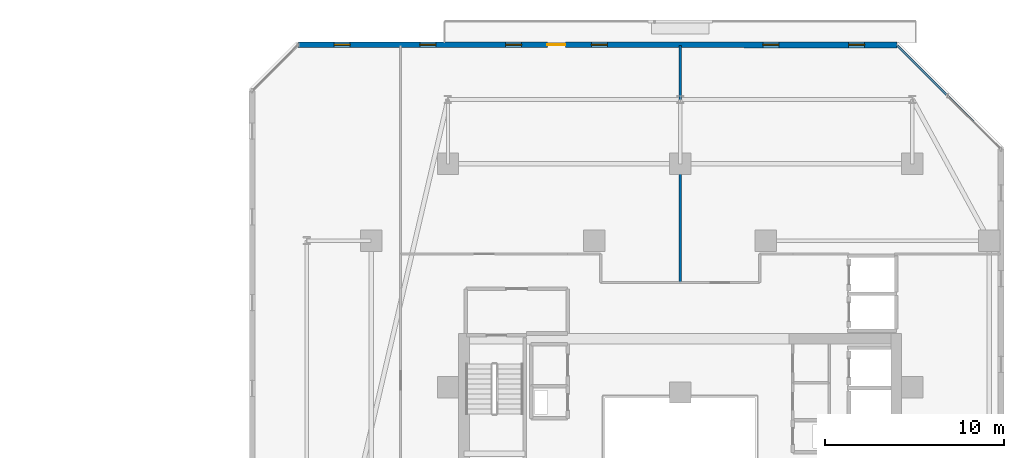
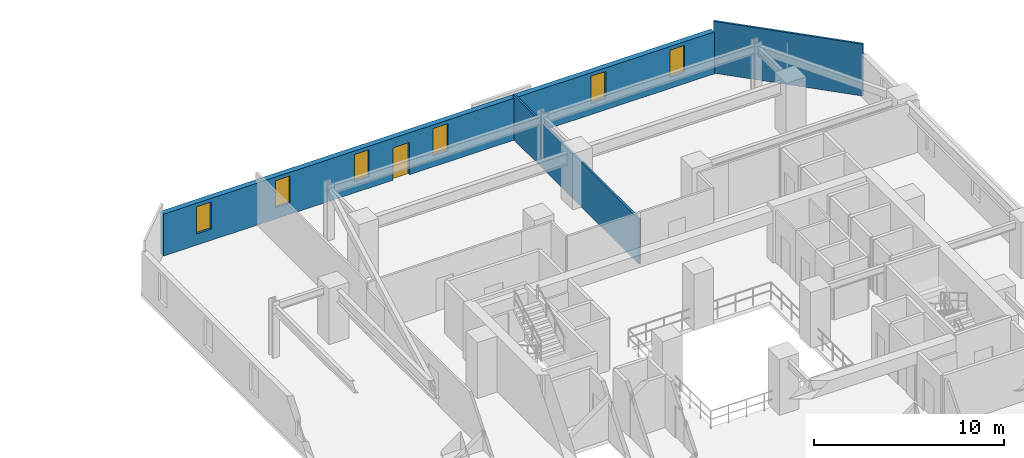
# One storey, part 23 of 30: 6 windows, 3 walls, 1 door, 7 openings.
"""IFC4 building model written with IfcOpenShell, lengths in metres."""

from ifc_helpers import new_model, si_unit, direction, frame, frame_2d, origin, place, context, subcontext, project, spatial, rectangle, extrude, material, layer, layer_set, type_object, element, fill, save


model = new_model("IFC4")

# Units and contexts
model_context = context("Model", 3, precision=1e-05, world=origin(), true_north=direction((0.0, 1.0)))
body_context = subcontext(model_context, "Body", "Model", "MODEL_VIEW")
ifc_project = project(units=[si_unit("LENGTHUNIT", "METRE"), si_unit("AREAUNIT", "SQUARE_METRE"), si_unit("VOLUMEUNIT", "CUBIC_METRE"), si_unit("PLANEANGLEUNIT", "RADIAN"), si_unit("MASSUNIT", "GRAM", prefix="KILO")], contexts=[model_context])

# Site, building, storey
site_placement = place(None, origin())
site = spatial("IfcSite", under=ifc_project, at=site_placement, CompositionType="ELEMENT")
building_placement = place(site_placement, origin())
building = spatial("IfcBuilding", under=site, at=building_placement, Name="Thornwick Lancets Civic Towers", CompositionType="ELEMENT")
storey_placement = place(building_placement, frame((0.0, 0.0, 80.10009765625)))
storey = spatial("IfcBuildingStorey", under=building, at=storey_placement, Name="L20", CompositionType="ELEMENT", Elevation=80.10009765625)

# Wall, openings, door, windows
ifc_material_1 = material(Name="Insulated buff terracotta rainscreen on concrete C40/50", Category="masonry")
ifc_layer_1 = layer(ifc_material_1, 0.320068359375, Name="Insulated buff terracotta rainscreen on concrete C40/50")
ifc_layer_set_1 = layer_set([ifc_layer_1], Name="Insulated buff terracotta rainscreen on concrete C40/50")
wall_type_1 = type_object("IfcWallType", Name="WALL_EXT_TERRA_320", PredefinedType="STANDARD", material=ifc_layer_set_1)
wall_1_placement = place(storey_placement, frame((100.62158203125, 50.9541015625, 0.0), z_axis=(0.0, 0.0, 1.0), x_axis=(-0.999999950907, 0.000313347115, 0.0)))
wall_1 = element("IfcWall", 1, at=wall_1_placement, inside=storey, type_object=wall_type_1, Name="L20 Tower B Terracotta Facade Wall E4", PredefinedType="STANDARD", context=body_context, shape_type="SweptSolid", body=[
    extrude(rectangle(XDim=33.5029296875, YDim=0.320068359375, at=frame_2d((16.75146484375, 0.0))), origin(), (0.0, 0.0, 1.0), 2.699951171875),
])
opening_1_placement = place(wall_1_placement, frame((18.551513671875, 0.0, 0.0)))
opening_1 = element("IfcOpeningElement", 2, at=opening_1_placement, cuts=wall_1, Name="Opening D-BL-L20-BN", PredefinedType="OPENING", context=body_context, shape_type="SweptSolid", body=[
    extrude(rectangle(XDim=1.0, YDim=2.080078125, at=frame_2d((0.5, 1.0400390625))), frame((0.0, 0.169921875, 0.0), z_axis=(0.0, -1.0, 0.0), x_axis=(1.0, 0.0, 0.0)), (0.0, 0.0, 1.0), 0.340087890625),
])
opening_2_placement = place(wall_1_placement, frame((1.800048828125, 0.0, 0.719970703125)))
opening_2 = element("IfcOpeningElement", 3, at=opening_2_placement, cuts=wall_1, Name="Opening WL-01", PredefinedType="OPENING", context=body_context, shape_type="SweptSolid", body=[
    extrude(rectangle(XDim=0.89990234375, YDim=1.75, at=frame_2d((0.449951171875, 0.875))), frame((0.0, 0.169921875, 0.0), z_axis=(0.0, -1.0, 0.0), x_axis=(1.0, 0.0, 0.0)), (0.0, 0.0, 1.0), 0.340087890625),
])
opening_3_placement = place(wall_1_placement, frame((6.60009765625, 0.0, 0.719970703125)))
opening_3 = element("IfcOpeningElement", 4, at=opening_3_placement, cuts=wall_1, Name="Opening WL-01", PredefinedType="OPENING", context=body_context, shape_type="SweptSolid", body=[
    extrude(rectangle(XDim=0.89990234375, YDim=1.75, at=frame_2d((0.449951171875, 0.875))), frame((0.0, 0.169921875, 0.0), z_axis=(0.0, -1.0, 0.0), x_axis=(1.0, 0.0, 0.0)), (0.0, 0.0, 1.0), 0.340087890625),
])
opening_4_placement = place(wall_1_placement, frame((16.199951171875, 0.0, 0.719970703125)))
opening_4 = element("IfcOpeningElement", 5, at=opening_4_placement, cuts=wall_1, Name="Opening WL-01", PredefinedType="OPENING", context=body_context, shape_type="SweptSolid", body=[
    extrude(rectangle(XDim=0.89990234375, YDim=1.75, at=frame_2d((0.449951171875, 0.875))), frame((0.0, 0.169921875, 0.0), z_axis=(0.0, -1.0, 0.0), x_axis=(1.0, 0.0, 0.0)), (0.0, 0.0, 1.0), 0.340087890625),
])
opening_5_placement = place(wall_1_placement, frame((21.0, 0.0, 0.719970703125)))
opening_5 = element("IfcOpeningElement", 6, at=opening_5_placement, cuts=wall_1, Name="Opening WL-01", PredefinedType="OPENING", context=body_context, shape_type="SweptSolid", body=[
    extrude(rectangle(XDim=0.89990234375, YDim=1.75, at=frame_2d((0.449951171875, 0.875))), frame((0.0, 0.169921875, 0.0), z_axis=(0.0, -1.0, 0.0), x_axis=(1.0, 0.0, 0.0)), (0.0, 0.0, 1.0), 0.340087890625),
])
opening_6_placement = place(wall_1_placement, frame((25.800048828125, 0.0, 0.719970703125)))
opening_6 = element("IfcOpeningElement", 7, at=opening_6_placement, cuts=wall_1, Name="Opening WL-01", PredefinedType="OPENING", context=body_context, shape_type="SweptSolid", body=[
    extrude(rectangle(XDim=0.89990234375, YDim=1.75, at=frame_2d((0.449951171875, 0.875))), frame((0.0, 0.169921875, 0.0), z_axis=(0.0, -1.0, 0.0), x_axis=(1.0, 0.0, 0.0)), (0.0, 0.0, 1.0), 0.340087890625),
])
opening_7_placement = place(wall_1_placement, frame((30.60009765625, 0.0, 0.719970703125)))
opening_7 = element("IfcOpeningElement", 8, at=opening_7_placement, cuts=wall_1, Name="Opening WL-01", PredefinedType="OPENING", context=body_context, shape_type="SweptSolid", body=[
    extrude(rectangle(XDim=0.89990234375, YDim=1.75, at=frame_2d((0.449951171875, 0.875))), frame((0.0, 0.169921875, 0.0), z_axis=(0.0, -1.0, 0.0), x_axis=(1.0, 0.0, 0.0)), (0.0, 0.0, 1.0), 0.340087890625),
])
ifc_material_2 = material(Name="Thermally broken glazed loggia doorset")
door_type = type_object("IfcDoorType", Name="DOOR_BALC_1000", OperationType="NOTDEFINED", PredefinedType="DOOR", material=ifc_material_2)
door_placement = place(opening_1_placement, origin())
door = element("IfcDoor", 9, at=door_placement, inside=storey, type_object=door_type, Name="L20 Tower B Loggia Balcony Door N", OperationType="SINGLE_SWING_LEFT", OverallHeight=2.080078125, OverallWidth=1.0, PredefinedType="DOOR", context=body_context, shape_type="SweptSolid", body=[
    extrude(rectangle(XDim=1.0, YDim=2.080078125, at=frame_2d((0.5, 1.0400390625))), frame((0.0, 0.02490234375, 0.0), z_axis=(0.0, -1.0, 0.0), x_axis=(1.0, 0.0, 0.0)), (0.0, 0.0, 1.0), 0.050048828125),
])
fill(opening_1, door)
ifc_material_3 = material(Name="Clear low-e double glazing in bronze frame", Category="glass")
window_type = type_object("IfcWindowType", Name="WIN_LANCET_900", PartitioningType="SINGLE_PANEL", PredefinedType="WINDOW", material=ifc_material_3)
window_1_placement = place(opening_2_placement, origin())
window_1 = element("IfcWindow", 10, at=window_1_placement, inside=storey, type_object=window_type, Name="L20 Tower B Staggered Lancet Window E4-1", OverallHeight=1.75, OverallWidth=0.89990234375, PartitioningType="SINGLE_PANEL", PredefinedType="WINDOW", context=body_context, shape_type="SweptSolid", body=[
    extrude(rectangle(XDim=0.89990234375, YDim=1.75, at=frame_2d((0.449951171875, 0.875))), frame((0.0, 0.030029296875, 0.0), z_axis=(0.0, -1.0, 0.0), x_axis=(1.0, 0.0, 0.0)), (0.0, 0.0, 1.0), 0.06005859375),
])
fill(opening_2, window_1)
window_2_placement = place(opening_3_placement, origin())
window_2 = element("IfcWindow", 11, at=window_2_placement, inside=storey, type_object=window_type, Name="L20 Tower B Staggered Lancet Window E4-2", OverallHeight=1.75, OverallWidth=0.89990234375, PartitioningType="SINGLE_PANEL", PredefinedType="WINDOW", context=body_context, shape_type="SweptSolid", body=[
    extrude(rectangle(XDim=0.89990234375, YDim=1.75, at=frame_2d((0.449951171875, 0.875))), frame((0.0, 0.030029296875, 0.0), z_axis=(0.0, -1.0, 0.0), x_axis=(1.0, 0.0, 0.0)), (0.0, 0.0, 1.0), 0.06005859375),
])
fill(opening_3, window_2)
window_3_placement = place(opening_4_placement, origin())
window_3 = element("IfcWindow", 12, at=window_3_placement, inside=storey, type_object=window_type, Name="L20 Tower B Staggered Lancet Window E4-3", OverallHeight=1.75, OverallWidth=0.89990234375, PartitioningType="SINGLE_PANEL", PredefinedType="WINDOW", context=body_context, shape_type="SweptSolid", body=[
    extrude(rectangle(XDim=0.89990234375, YDim=1.75, at=frame_2d((0.449951171875, 0.875))), frame((0.0, 0.030029296875, 0.0), z_axis=(0.0, -1.0, 0.0), x_axis=(1.0, 0.0, 0.0)), (0.0, 0.0, 1.0), 0.06005859375),
])
fill(opening_4, window_3)
window_4_placement = place(opening_5_placement, origin())
window_4 = element("IfcWindow", 13, at=window_4_placement, inside=storey, type_object=window_type, Name="L20 Tower B Staggered Lancet Window E4-4", OverallHeight=1.75, OverallWidth=0.89990234375, PartitioningType="SINGLE_PANEL", PredefinedType="WINDOW", context=body_context, shape_type="SweptSolid", body=[
    extrude(rectangle(XDim=0.89990234375, YDim=1.75, at=frame_2d((0.449951171875, 0.875))), frame((0.0, 0.030029296875, 0.0), z_axis=(0.0, -1.0, 0.0), x_axis=(1.0, 0.0, 0.0)), (0.0, 0.0, 1.0), 0.06005859375),
])
fill(opening_5, window_4)
window_5_placement = place(opening_6_placement, origin())
window_5 = element("IfcWindow", 14, at=window_5_placement, inside=storey, type_object=window_type, Name="L20 Tower B Staggered Lancet Window E4-5", OverallHeight=1.75, OverallWidth=0.89990234375, PartitioningType="SINGLE_PANEL", PredefinedType="WINDOW", context=body_context, shape_type="SweptSolid", body=[
    extrude(rectangle(XDim=0.89990234375, YDim=1.75, at=frame_2d((0.449951171875, 0.875))), frame((0.0, 0.030029296875, 0.0), z_axis=(0.0, -1.0, 0.0), x_axis=(1.0, 0.0, 0.0)), (0.0, 0.0, 1.0), 0.06005859375),
])
fill(opening_6, window_5)
window_6_placement = place(opening_7_placement, origin())
window_6 = element("IfcWindow", 15, at=window_6_placement, inside=storey, type_object=window_type, Name="L20 Tower B Staggered Lancet Window E4-6", OverallHeight=1.75, OverallWidth=0.89990234375, PartitioningType="SINGLE_PANEL", PredefinedType="WINDOW", context=body_context, shape_type="SweptSolid", body=[
    extrude(rectangle(XDim=0.89990234375, YDim=1.75, at=frame_2d((0.449951171875, 0.875))), frame((0.0, 0.030029296875, 0.0), z_axis=(0.0, -1.0, 0.0), x_axis=(1.0, 0.0, 0.0)), (0.0, 0.0, 1.0), 0.06005859375),
])
fill(opening_7, window_6)

# Walls
ifc_material_4 = material(Name="Acoustic gypsum board partition")
ifc_layer_2 = layer(ifc_material_4, 0.1201171875, Name="Acoustic gypsum board partition")
ifc_layer_set_2 = layer_set([ifc_layer_2], Name="Acoustic gypsum board partition")
wall_type_2 = type_object("IfcWallType", Name="WALL_PART_120", PredefinedType="PARTITIONING", material=ifc_layer_set_2)
wall_2_placement = place(storey_placement, frame((88.5, 37.64990234375, 0.0), z_axis=(0.0, 0.0, 1.0), x_axis=(0.0, 1.0, 0.0)))
element("IfcWall", 16, at=wall_2_placement, inside=storey, type_object=wall_type_2, Name="L20 Partition L20-B-E1 E7", PredefinedType="PARTITIONING", context=body_context, shape_type="SweptSolid", body=[
    extrude(rectangle(XDim=13.27001953125, YDim=0.1201171875, at=frame_2d((6.635009765625, 0.0))), origin(), (0.0, 0.0, 1.0), 2.881591796875),
])
wall_3_placement = place(storey_placement, frame((100.65234375, 50.919921875, 0.0), z_axis=(0.0, 0.0, 1.0), x_axis=(0.707106781187, -0.707106781187, 0.0)))
element("IfcWall", 17, at=wall_3_placement, inside=storey, type_object=wall_type_2, Name="L20 Partition L20-B-E1 E9", PredefinedType="PARTITIONING", context=body_context, shape_type="SweptSolid", body=[
    extrude(rectangle(XDim=8.156494140625, YDim=0.1201171875, at=frame_2d((4.078125, 0.0))), origin(), (0.0, 0.0, 1.0), 3.33984375),
])

save(model, "model.ifc")
